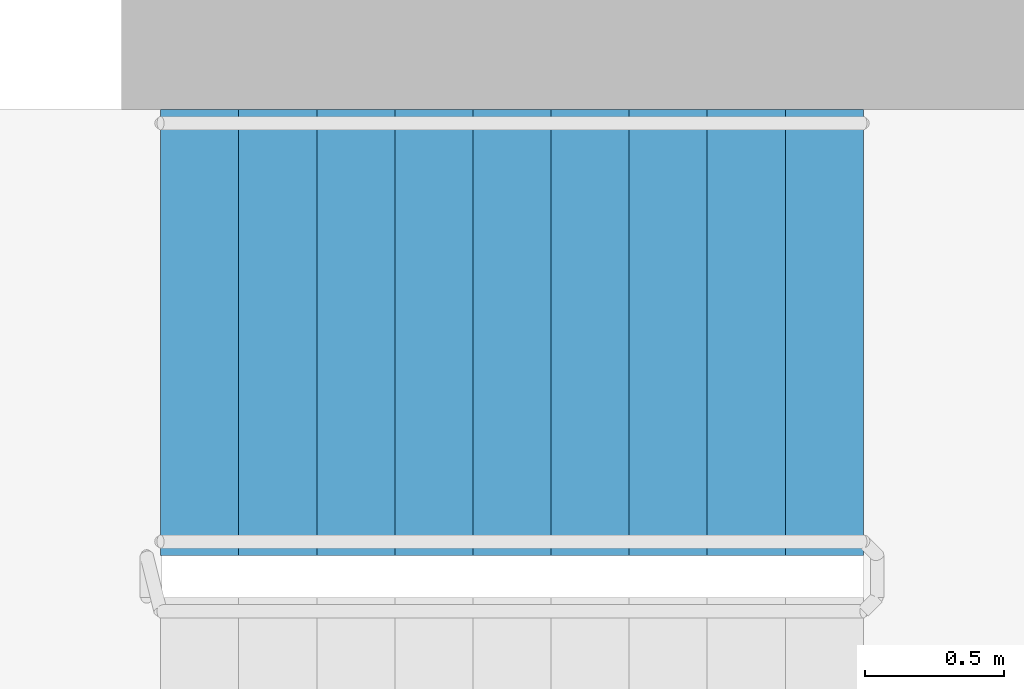
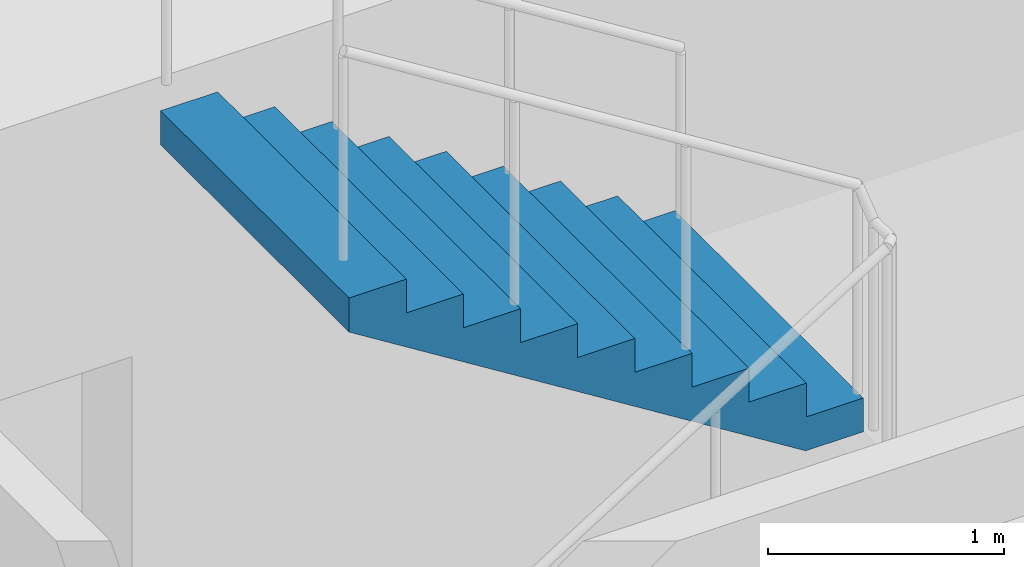
# One storey, part 23 of 28: 1 stair flight, 1 element without a shape of its own.
"""IFC4 building model written with IfcOpenShell, lengths in metres."""

from ifc_helpers import new_model, si_unit, direction, frame, origin, place, context, subcontext, project, spatial, polyline, outline, extrude, material, type_object, element, aggregate, save


model = new_model("IFC4")

# Units and contexts
model_context = context("Model", 3, precision=1e-05, world=origin(), true_north=direction((0.0, 1.0)))
body_context = subcontext(model_context, "Body", "Model", "MODEL_VIEW")
ifc_project = project(units=[si_unit("LENGTHUNIT", "METRE"), si_unit("AREAUNIT", "SQUARE_METRE"), si_unit("VOLUMEUNIT", "CUBIC_METRE"), si_unit("PLANEANGLEUNIT", "RADIAN"), si_unit("MASSUNIT", "GRAM", prefix="KILO")], contexts=[model_context])

# Site, building, storey
site_placement = place(None, origin())
site = spatial("IfcSite", under=ifc_project, at=site_placement, CompositionType="ELEMENT")
building_placement = place(site_placement, origin())
building = spatial("IfcBuilding", under=site, at=building_placement, Name="Orlundy Tower", CompositionType="ELEMENT")
storey_placement = place(building_placement, frame((0.0, 0.0, 167.10009765625)))
storey = spatial("IfcBuildingStorey", under=building, at=storey_placement, Name="L43", CompositionType="ELEMENT", Elevation=167.10009765625)

# Stair, stair flight
ifc_material_1 = material(Name="Concrete C50/60", Category="concrete")
stair_type = type_object("IfcStairType", Name="Exit Stair 20 risers", PredefinedType="HALF_TURN_STAIR", material=ifc_material_1)
stair_placement = place(storey_placement, origin())
stair = element("IfcStair", 1, at=stair_placement, inside=storey, type_object=stair_type, Name="L43 Exit Stair ST-E2", PredefinedType="HALF_TURN_STAIR")
ifc_material_2 = material(Name="Concrete C50/60", Category="concrete")
stair_flight_type = type_object("IfcStairFlightType", Name="Stair Flight 10 risers", PredefinedType="STRAIGHT", material=ifc_material_2)
stair_flight_placement = place(storey_placement, frame((15.659912109375, 10.300048828125, 1.75), z_axis=(0.0, 0.0, 1.0), x_axis=(-1.0, 0.0, 0.0)))
stair_flight = element("IfcStairFlight", 2, at=stair_flight_placement, type_object=stair_flight_type, Name="ST-E2 flight 2", NumberOfRisers=10, NumberOfTreads=9, PredefinedType="STRAIGHT", RiserHeight=0.175, TreadLength=0.28, context=body_context, shape_type="SweptSolid", body=[
    extrude(outline(polyline([(0.0, 0.0), (0.0, 0.175048828125), (0.280029296875, 0.175048828125), (0.280029296875, 0.35009765625), (0.56005859375, 0.35009765625), (0.56005859375, 0.52490234375), (0.840087890625, 0.52490234375), (0.840087890625, 0.699951171875), (1.1201171875, 0.699951171875), (1.1201171875, 0.875), (1.39990234375, 0.875), (1.39990234375, 1.050048828125), (1.679931640625, 1.050048828125), (1.679931640625, 1.22509765625), (1.9599609375, 1.22509765625), (1.9599609375, 1.39990234375), (2.239990234375, 1.39990234375), (2.239990234375, 1.574951171875), (2.52001953125, 1.574951171875), (2.52001953125, 1.75), (2.52001953125, 1.398193359375), (0.28271484375, 0.0), (0.0, 0.0)])), frame((0.0, 0.800048828125, 0.0), z_axis=(0.0, -1.0, 0.0), x_axis=(1.0, 0.0, 0.0)), (0.0, 0.0, 1.0), 1.60009765625),
])
aggregate(stair, [stair_flight])

save(model, "model.ifc")
